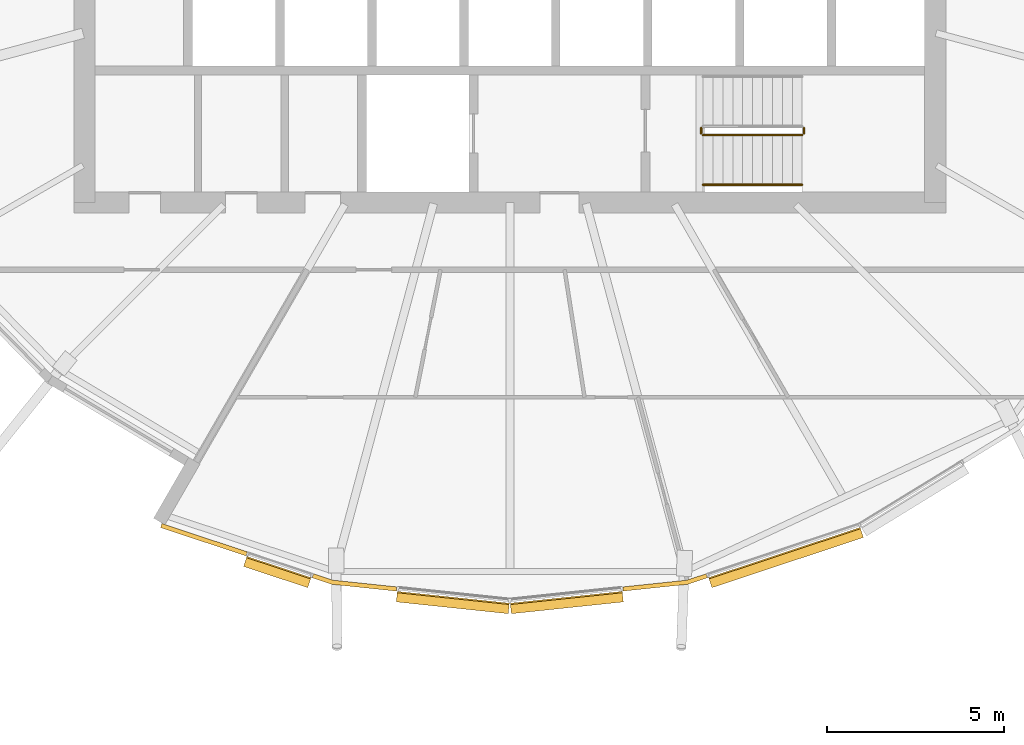
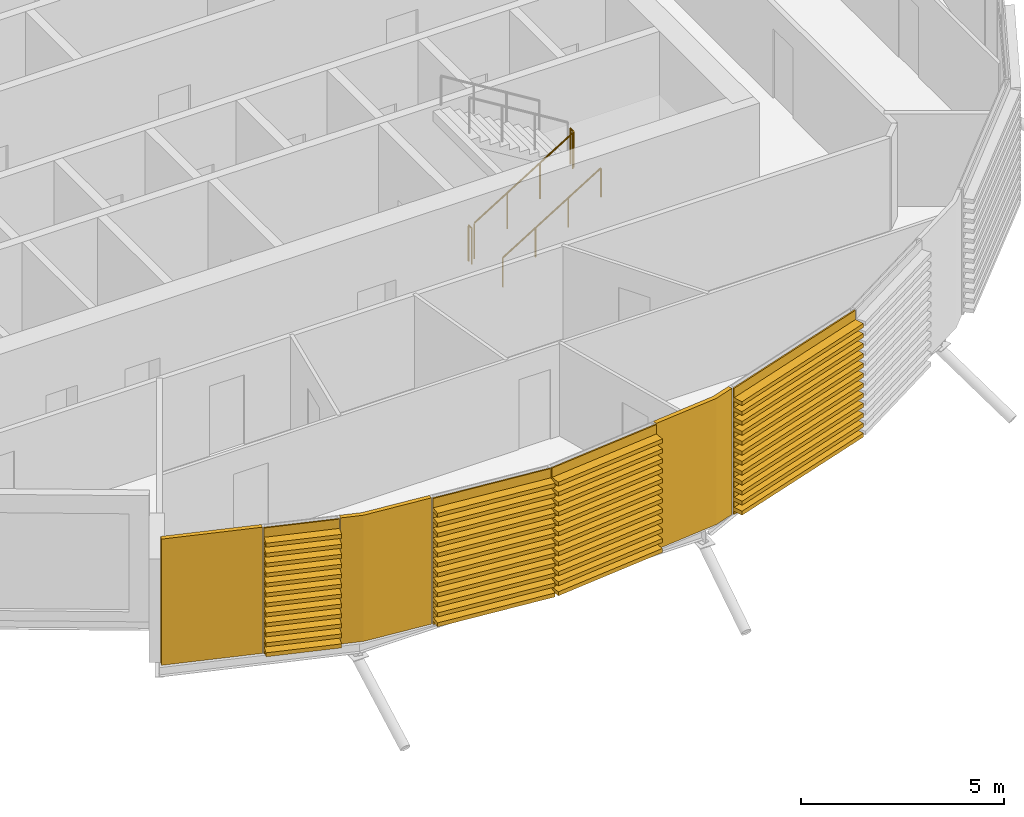
# One storey, part 30 of 35: 7 coverings, 4 railings.
"""IFC4 building model written with IfcOpenShell, lengths in metres."""

from ifc_helpers import new_model, si_unit, direction, frame, origin, origin_2d, place, context, subcontext, project, spatial, polyline, circle, outline, extrude, material, layer, layer_set, material_profile, profile_set, type_object, element, save


model = new_model("IFC4")

# Units and contexts
model_context = context("Model", 3, precision=1e-05, world=origin(), true_north=direction((0.0, 1.0)))
body_context = subcontext(model_context, "Body", "Model", "MODEL_VIEW")
ifc_project = project(units=[si_unit("LENGTHUNIT", "METRE"), si_unit("AREAUNIT", "SQUARE_METRE"), si_unit("VOLUMEUNIT", "CUBIC_METRE"), si_unit("PLANEANGLEUNIT", "RADIAN"), si_unit("MASSUNIT", "GRAM", prefix="KILO")], contexts=[model_context])

# Site, building, storey
site_placement = place(None, origin())
site = spatial("IfcSite", under=ifc_project, at=site_placement, CompositionType="ELEMENT")
building_placement = place(site_placement, origin())
building = spatial("IfcBuilding", under=site, at=building_placement, Name="Rimbun Link Towers", CompositionType="ELEMENT")
storey_placement = place(building_placement, frame((0.0, 0.0, 196.89990234375)))
storey = spatial("IfcBuildingStorey", under=building, at=storey_placement, Name="L48", CompositionType="ELEMENT", Elevation=196.89990234375)

# Coverings
ifc_material_1 = material(Name="Terracotta", Category="masonry")
ifc_layer = layer(ifc_material_1, 0.1201171875)
ifc_layer_set = layer_set([ifc_layer], Name="LINK PIER terracotta cladding 120")
covering_type_1 = type_object("IfcCoveringType", Name="LINK PIER terracotta cladding 120", PredefinedType="CLADDING", material=ifc_layer_set)
covering_1_placement = place(storey_placement, origin())
element("IfcCovering", 1, at=covering_1_placement, inside=storey, type_object=covering_type_1, Name="LINK PIER cladding", PredefinedType="CLADDING", context=body_context, shape_type="SweptSolid", body=[
    extrude(outline(polyline([(-39.154052734375, -17.858154296875), (-41.565185546875, -17.05908203125), (-41.602783203125, -17.173095703125), (-39.19189453125, -17.971923828125), (-39.154052734375, -17.858154296875)])), origin(), (0.0, 0.0, 1.0), 3.800048828125),
])
covering_2_placement = place(storey_placement, origin())
element("IfcCovering", 2, at=covering_2_placement, inside=storey, type_object=covering_type_1, Name="LINK PIER cladding", PredefinedType="CLADDING", context=body_context, shape_type="SweptSolid", body=[
    extrude(outline(polyline([(-34.938720703125, -18.845947265625), (-36.748779296875, -18.6552734375), (-37.289794921875, -18.475830078125), (-37.327392578125, -18.58984375), (-36.774169921875, -18.773193359375), (-34.951171875, -18.965087890625), (-34.938720703125, -18.845947265625)])), origin(), (0.0, 0.0, 1.0), 3.800048828125),
])
covering_3_placement = place(storey_placement, origin())
element("IfcCovering", 3, at=covering_3_placement, inside=storey, type_object=covering_type_1, Name="LINK PIER cladding", PredefinedType="CLADDING", context=body_context, shape_type="SweptSolid", body=[
    extrude(outline(polyline([(-26.210205078125, -18.475830078125), (-26.751220703125, -18.6552734375), (-28.561279296875, -18.845947265625), (-28.548828125, -18.965087890625), (-26.725830078125, -18.773193359375), (-26.172607421875, -18.58984375), (-26.210205078125, -18.475830078125)])), origin(), (0.0, 0.0, 1.0), 3.800048828125),
])

# Railings
ifc_material_2 = material(Name="Stainless steel grade 316", Category="steel")
railing_type_1 = type_object("IfcRailingType", Name="Stair guard", PredefinedType="GUARDRAIL", material=ifc_material_2)
railing_1_placement = place(storey_placement, frame((-26.300048828125, -6.10009765625, 0.1728515625)))
element("IfcRailing", 4, at=railing_1_placement, inside=storey, type_object=railing_type_1, Name="L48 ST2 stair guard 1", PredefinedType="GUARDRAIL", context=body_context, shape_type="SweptSolid", body=[
    extrude(circle(Radius=0.02392578125, at=origin_2d()), frame((0.0, 0.0, 1.076171875), z_axis=(0.851089632645, 0.0, 0.525020415988), x_axis=(0.0, 1.0, 0.0)), (0.0, 0.0, 1.0), 3.2900390625),
    extrude(circle(Radius=0.02099609375, at=origin_2d()), origin(), (0.0, 0.0, 1.0), 1.052001953125),
    extrude(circle(Radius=0.02099609375, at=origin_2d()), frame((0.933349609375, 0.0, 0.57568359375)), (0.0, 0.0, 1.0), 1.052001953125),
    extrude(circle(Radius=0.02099609375, at=origin_2d()), frame((1.86669921875, 0.0, 1.151611328125)), (0.0, 0.0, 1.0), 1.052001953125),
    extrude(circle(Radius=0.02099609375, at=origin_2d()), frame((2.800048828125, 0.0, 1.727294921875)), (0.0, 0.0, 1.0), 1.052001953125),
])
for number, where, name in (
    (5, (-23.449951171875, -6.050048828125, 1.900146484375), "L48 ST2 stair guard 2"),
    (6, (-26.35009765625, -6.050048828125, 0.0), "L48 ST2 stair guard 4"),
):
    element("IfcRailing", number, at=place(storey_placement, frame(where)), inside=storey, type_object=railing_type_1, Name=name, PredefinedType="GUARDRAIL", context=body_context, shape_type="SweptSolid", body=[
        extrude(circle(Radius=0.02392578125, at=origin_2d()), frame((0.0, 0.0, 1.076171875), z_axis=(0.0, 1.0, 0.0), x_axis=(-1.0, 0.0, 0.0)), (0.0, 0.0, 1.0), 0.150146484375),
        extrude(circle(Radius=0.02099609375, at=origin_2d()), origin(), (0.0, 0.0, 1.0), 1.052001953125),
        extrude(circle(Radius=0.02099609375, at=origin_2d()), frame((0.0, 0.150146484375, 0.0)), (0.0, 0.0, 1.0), 1.052001953125),
    ])
ifc_material_3 = material(Name="Stainless steel grade 316", Category="steel")
railing_type_2 = type_object("IfcRailingType", Name="Stair handrail", PredefinedType="HANDRAIL", material=ifc_material_3)
railing_2_placement = place(storey_placement, frame((-26.300048828125, -7.5, 0.1728515625)))
element("IfcRailing", 7, at=railing_2_placement, inside=storey, type_object=railing_type_2, Name="L48 ST2 stair handrail 1", PredefinedType="HANDRAIL", context=body_context, shape_type="SweptSolid", body=[
    extrude(circle(Radius=0.02392578125, at=origin_2d()), frame((0.0, 0.0, 0.8759765625), z_axis=(0.851089632645, 0.0, 0.525020415988), x_axis=(0.0, 1.0, 0.0)), (0.0, 0.0, 1.0), 3.2900390625),
    extrude(circle(Radius=0.02099609375, at=origin_2d()), origin(), (0.0, 0.0, 1.0), 0.851806640625),
    extrude(circle(Radius=0.02099609375, at=origin_2d()), frame((0.933349609375, 0.0, 0.57568359375)), (0.0, 0.0, 1.0), 0.851806640625),
    extrude(circle(Radius=0.02099609375, at=origin_2d()), frame((1.86669921875, 0.0, 1.151611328125)), (0.0, 0.0, 1.0), 0.851806640625),
    extrude(circle(Radius=0.02099609375, at=origin_2d()), frame((2.800048828125, 0.0, 1.727294921875)), (0.0, 0.0, 1.0), 0.851806640625),
])

# Coverings
ifc_material_4 = material(Name="Terracotta", Category="masonry")
ifc_material_profile = material_profile(ifc_material_4, outline(polyline([(0.123046875, 0.0), (0.1630859375, 0.0), (0.1630859375, 0.10009765625), (0.423095703125, 0.10009765625), (0.423095703125, 0.219970703125), (0.1630859375, 0.219970703125), (0.1630859375, 0.39990234375), (0.423095703125, 0.39990234375), (0.423095703125, 0.52001953125), (0.1630859375, 0.52001953125), (0.1630859375, 0.699951171875), (0.423095703125, 0.699951171875), (0.423095703125, 0.820068359375), (0.1630859375, 0.820068359375), (0.1630859375, 1.0), (0.423095703125, 1.0), (0.423095703125, 1.1201171875), (0.1630859375, 1.1201171875), (0.1630859375, 1.300048828125), (0.423095703125, 1.300048828125), (0.423095703125, 1.419921875), (0.1630859375, 1.419921875), (0.1630859375, 1.60009765625), (0.423095703125, 1.60009765625), (0.423095703125, 1.719970703125), (0.1630859375, 1.719970703125), (0.1630859375, 1.89990234375), (0.423095703125, 1.89990234375), (0.423095703125, 2.02001953125), (0.1630859375, 2.02001953125), (0.1630859375, 2.199951171875), (0.423095703125, 2.199951171875), (0.423095703125, 2.320068359375), (0.1630859375, 2.320068359375), (0.1630859375, 2.5), (0.423095703125, 2.5), (0.423095703125, 2.6201171875), (0.1630859375, 2.6201171875), (0.1630859375, 2.800048828125), (0.423095703125, 2.800048828125), (0.423095703125, 2.919921875), (0.1630859375, 2.919921875), (0.1630859375, 3.10009765625), (0.423095703125, 3.10009765625), (0.423095703125, 3.219970703125), (0.1630859375, 3.219970703125), (0.1630859375, 3.39990234375), (0.423095703125, 3.39990234375), (0.423095703125, 3.52001953125), (0.1630859375, 3.52001953125), (0.1630859375, 3.800048828125), (0.123046875, 3.800048828125), (0.123046875, 0.0)])), Name="BAGUETTE 120X300")
ifc_profile_set = profile_set([ifc_material_profile], Name="Terracotta")
covering_type_2 = type_object("IfcCoveringType", Name="TERRACOTTA BAGUETTE 120X300 H3800", PredefinedType="CLADDING", material=ifc_profile_set)
covering_4_placement = place(storey_placement, frame((-37.318359375, -18.466552734375, 0.0), z_axis=(-0.949194989763, 0.314688530786, 0.0), x_axis=(-0.314688530786, -0.949194989763, 0.0)))
element("IfcCovering", 8, at=covering_4_placement, inside=storey, type_object=covering_type_2, Name="TERRACOTTA BAGUETTE", PredefinedType="CLADDING", context=body_context, shape_type="SweptSolid", body=[
    extrude(outline(polyline([(0.123046875, 0.0), (0.1630859375, 0.0), (0.1630859375, 0.10009765625), (0.423095703125, 0.10009765625), (0.423095703125, 0.219970703125), (0.1630859375, 0.219970703125), (0.1630859375, 0.39990234375), (0.423095703125, 0.39990234375), (0.423095703125, 0.52001953125), (0.1630859375, 0.52001953125), (0.1630859375, 0.699951171875), (0.423095703125, 0.699951171875), (0.423095703125, 0.820068359375), (0.1630859375, 0.820068359375), (0.1630859375, 1.0), (0.423095703125, 1.0), (0.423095703125, 1.1201171875), (0.1630859375, 1.1201171875), (0.1630859375, 1.300048828125), (0.423095703125, 1.300048828125), (0.423095703125, 1.419921875), (0.1630859375, 1.419921875), (0.1630859375, 1.60009765625), (0.423095703125, 1.60009765625), (0.423095703125, 1.719970703125), (0.1630859375, 1.719970703125), (0.1630859375, 1.89990234375), (0.423095703125, 1.89990234375), (0.423095703125, 2.02001953125), (0.1630859375, 2.02001953125), (0.1630859375, 2.199951171875), (0.423095703125, 2.199951171875), (0.423095703125, 2.320068359375), (0.1630859375, 2.320068359375), (0.1630859375, 2.5), (0.423095703125, 2.5), (0.423095703125, 2.6201171875), (0.1630859375, 2.6201171875), (0.1630859375, 2.800048828125), (0.423095703125, 2.800048828125), (0.423095703125, 2.919921875), (0.1630859375, 2.919921875), (0.1630859375, 3.10009765625), (0.423095703125, 3.10009765625), (0.423095703125, 3.219970703125), (0.1630859375, 3.219970703125), (0.1630859375, 3.39990234375), (0.423095703125, 3.39990234375), (0.423095703125, 3.52001953125), (0.1630859375, 3.52001953125), (0.1630859375, 3.800048828125), (0.123046875, 3.800048828125), (0.123046875, 0.0)])), origin(), (0.0, 0.0, 1.0), 1.90380859375),
])
for number, where, z_axis, x_axis, name in (
    (9, (-31.75, -19.181640625, 0.0), (-0.994497448106, 0.104760802362, 0.0), (-0.104760802362, -0.994497448106, 0.0), "TERRACOTTA BAGUETTE"),
    (10, (-28.591064453125, -18.848876953125, 0.0), (-0.994497448106, -0.104760802362, 0.0), (0.104760802362, -0.994497448106, 0.0), "TERRACOTTA BAGUETTE"),
):
    element("IfcCovering", number, at=place(storey_placement, frame(where, z_axis=z_axis, x_axis=x_axis)), inside=storey, type_object=covering_type_2, Name=name, PredefinedType="CLADDING", context=body_context, shape_type="SweptSolid", body=[
        extrude(outline(polyline([(0.123046875, 0.0), (0.1630859375, 0.0), (0.1630859375, 0.10009765625), (0.423095703125, 0.10009765625), (0.423095703125, 0.219970703125), (0.1630859375, 0.219970703125), (0.1630859375, 0.39990234375), (0.423095703125, 0.39990234375), (0.423095703125, 0.52001953125), (0.1630859375, 0.52001953125), (0.1630859375, 0.699951171875), (0.423095703125, 0.699951171875), (0.423095703125, 0.820068359375), (0.1630859375, 0.820068359375), (0.1630859375, 1.0), (0.423095703125, 1.0), (0.423095703125, 1.1201171875), (0.1630859375, 1.1201171875), (0.1630859375, 1.300048828125), (0.423095703125, 1.300048828125), (0.423095703125, 1.419921875), (0.1630859375, 1.419921875), (0.1630859375, 1.60009765625), (0.423095703125, 1.60009765625), (0.423095703125, 1.719970703125), (0.1630859375, 1.719970703125), (0.1630859375, 1.89990234375), (0.423095703125, 1.89990234375), (0.423095703125, 2.02001953125), (0.1630859375, 2.02001953125), (0.1630859375, 2.199951171875), (0.423095703125, 2.199951171875), (0.423095703125, 2.320068359375), (0.1630859375, 2.320068359375), (0.1630859375, 2.5), (0.423095703125, 2.5), (0.423095703125, 2.6201171875), (0.1630859375, 2.6201171875), (0.1630859375, 2.800048828125), (0.423095703125, 2.800048828125), (0.423095703125, 2.919921875), (0.1630859375, 2.919921875), (0.1630859375, 3.10009765625), (0.423095703125, 3.10009765625), (0.423095703125, 3.219970703125), (0.1630859375, 3.219970703125), (0.1630859375, 3.39990234375), (0.423095703125, 3.39990234375), (0.423095703125, 3.52001953125), (0.1630859375, 3.52001953125), (0.1630859375, 3.800048828125), (0.123046875, 3.800048828125), (0.123046875, 0.0)])), origin(), (0.0, 0.0, 1.0), 3.176513671875),
    ])
covering_5_placement = place(storey_placement, frame((-21.906494140625, -17.0498046875, 0.0), z_axis=(-0.949234768601, -0.314568520484, 0.0), x_axis=(0.314568520484, -0.949234768601, 0.0)))
element("IfcCovering", 11, at=covering_5_placement, inside=storey, type_object=covering_type_2, Name="TERRACOTTA BAGUETTE", PredefinedType="CLADDING", context=body_context, shape_type="SweptSolid", body=[
    extrude(outline(polyline([(0.123046875, 0.0), (0.1630859375, 0.0), (0.1630859375, 0.10009765625), (0.423095703125, 0.10009765625), (0.423095703125, 0.219970703125), (0.1630859375, 0.219970703125), (0.1630859375, 0.39990234375), (0.423095703125, 0.39990234375), (0.423095703125, 0.52001953125), (0.1630859375, 0.52001953125), (0.1630859375, 0.699951171875), (0.423095703125, 0.699951171875), (0.423095703125, 0.820068359375), (0.1630859375, 0.820068359375), (0.1630859375, 1.0), (0.423095703125, 1.0), (0.423095703125, 1.1201171875), (0.1630859375, 1.1201171875), (0.1630859375, 1.300048828125), (0.423095703125, 1.300048828125), (0.423095703125, 1.419921875), (0.1630859375, 1.419921875), (0.1630859375, 1.60009765625), (0.423095703125, 1.60009765625), (0.423095703125, 1.719970703125), (0.1630859375, 1.719970703125), (0.1630859375, 1.89990234375), (0.423095703125, 1.89990234375), (0.423095703125, 2.02001953125), (0.1630859375, 2.02001953125), (0.1630859375, 2.199951171875), (0.423095703125, 2.199951171875), (0.423095703125, 2.320068359375), (0.1630859375, 2.320068359375), (0.1630859375, 2.5), (0.423095703125, 2.5), (0.423095703125, 2.6201171875), (0.1630859375, 2.6201171875), (0.1630859375, 2.800048828125), (0.423095703125, 2.800048828125), (0.423095703125, 2.919921875), (0.1630859375, 2.919921875), (0.1630859375, 3.10009765625), (0.423095703125, 3.10009765625), (0.423095703125, 3.219970703125), (0.1630859375, 3.219970703125), (0.1630859375, 3.39990234375), (0.423095703125, 3.39990234375), (0.423095703125, 3.52001953125), (0.1630859375, 3.52001953125), (0.1630859375, 3.800048828125), (0.123046875, 3.800048828125), (0.123046875, 0.0)])), origin(), (0.0, 0.0, 1.0), 4.503662109375),
])

save(model, "model.ifc")
